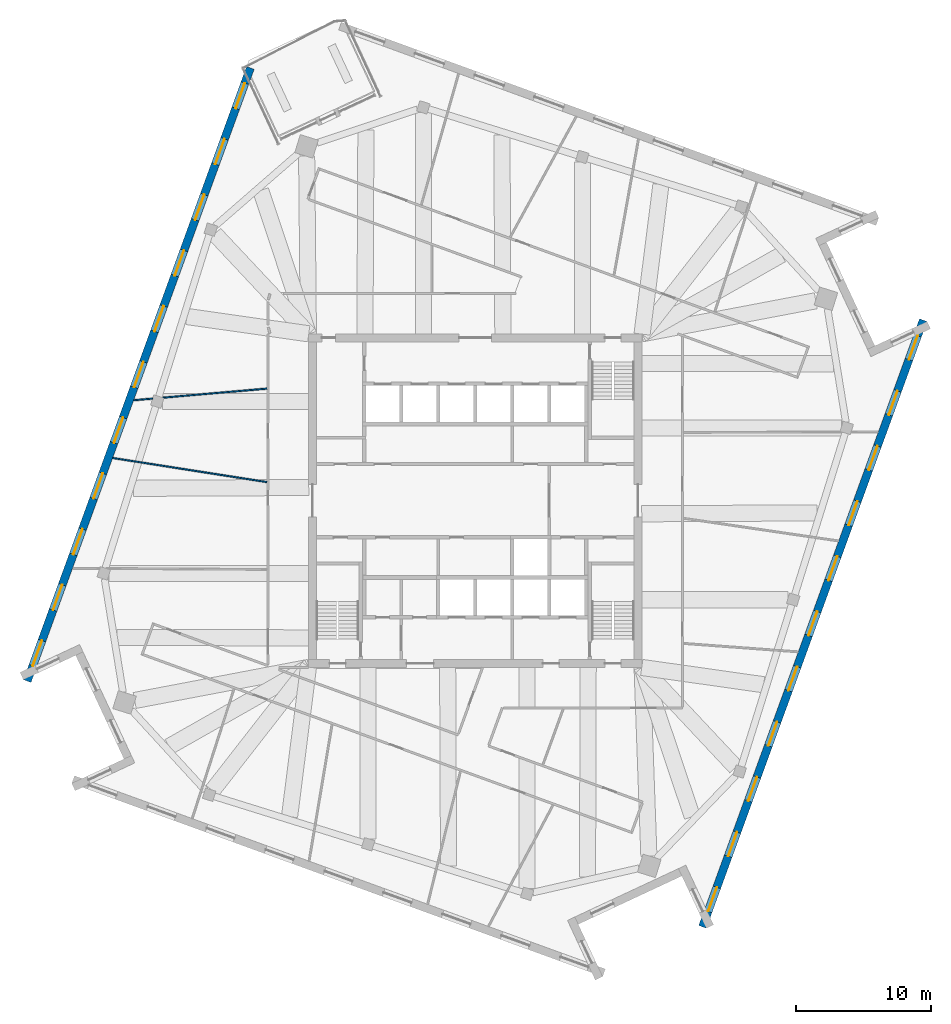
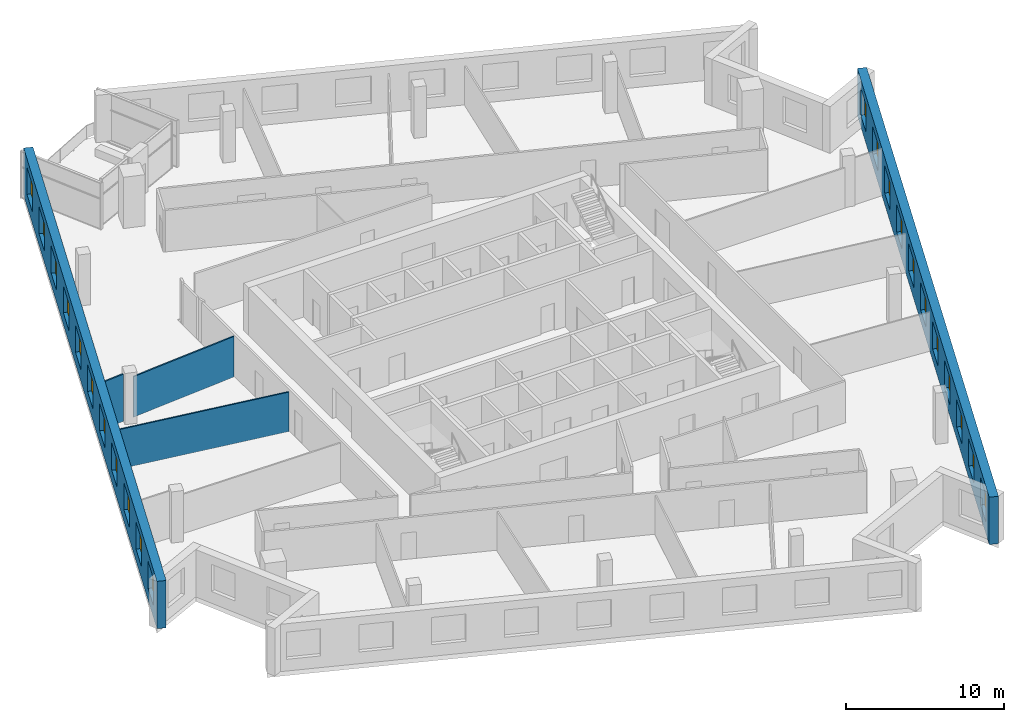
# One storey, part 8 of 13: 22 windows, 5 walls, 22 openings.
"""IFC4 building model written with IfcOpenShell, lengths in metres."""

from ifc_helpers import new_model, si_unit, direction, frame, frame_2d, origin, place, context, subcontext, project, spatial, rectangle, extrude, material, layer, layer_set, type_object, element, fill, save


model = new_model("IFC4")

# Units and contexts
model_context = context("Model", 3, precision=1e-05, world=origin(), true_north=direction((0.0, 1.0)))
body_context = subcontext(model_context, "Body", "Model", "MODEL_VIEW")
ifc_project = project(units=[si_unit("LENGTHUNIT", "METRE"), si_unit("AREAUNIT", "SQUARE_METRE"), si_unit("VOLUMEUNIT", "CUBIC_METRE"), si_unit("PLANEANGLEUNIT", "RADIAN"), si_unit("MASSUNIT", "GRAM", prefix="KILO")], contexts=[model_context])

# Site, building, storey
site_placement = place(None, origin())
site = spatial("IfcSite", under=ifc_project, at=site_placement, CompositionType="ELEMENT")
building_placement = place(site_placement, origin())
building = spatial("IfcBuilding", under=site, at=building_placement, Name="Dilmun Exchange Tower", CompositionType="ELEMENT")
storey_placement = place(building_placement, frame((0.0, 0.0, 304.5)))
storey = spatial("IfcBuildingStorey", under=building, at=storey_placement, Name="L72", CompositionType="ELEMENT", Elevation=304.5)

# Walls
ifc_material_1 = material(Name="Partition 100")
ifc_layer_1 = layer(ifc_material_1, 0.10009765625)
ifc_layer_set_1 = layer_set([ifc_layer_1], Name="Partition 100")
wall_type_1 = type_object("IfcWallType", Name="Partition 100", PredefinedType="PARTITIONING", material=ifc_layer_set_1)
wall_1_placement = place(storey_placement, frame((-26.939453125, 3.167236328125, 0.0), z_axis=(0.0, 0.0, 1.0), x_axis=(0.987997076622, -0.154472575515, 0.0)))
element("IfcWall", 1, at=wall_1_placement, inside=storey, type_object=wall_type_1, Name="Partition", PredefinedType="PARTITIONING", context=body_context, shape_type="SweptSolid", body=[
    extrude(rectangle(XDim=11.595947265625, YDim=0.10009765625, at=frame_2d((5.7978515625, 0.0))), origin(), (0.0, 0.0, 1.0), 3.050048828125),
])
wall_2_placement = place(storey_placement, frame((-25.376953125, 7.459716796875, 0.0), z_axis=(0.0, 0.0, 1.0), x_axis=(0.996220312329, 0.086862473502, 0.0)))
element("IfcWall", 2, at=wall_2_placement, inside=storey, type_object=wall_type_1, Name="Partition", PredefinedType="PARTITIONING", context=body_context, shape_type="SweptSolid", body=[
    extrude(rectangle(XDim=1.402587890625, YDim=0.10009765625, at=frame_2d((0.701171875, 0.0))), origin(), (0.0, 0.0, 1.0), 3.64990234375),
])
wall_3_placement = place(storey_placement, frame((-23.203369140625, 7.6494140625, 0.0), z_axis=(0.0, 0.0, 1.0), x_axis=(0.996219171953, 0.086875551407, 0.0)))
element("IfcWall", 3, at=wall_3_placement, inside=storey, type_object=wall_type_1, Name="Partition", PredefinedType="PARTITIONING", context=body_context, shape_type="SweptSolid", body=[
    extrude(rectangle(XDim=7.75341796875, YDim=0.10009765625, at=frame_2d((3.876708984375, 0.0))), origin(), (0.0, 0.0, 1.0), 3.1298828125),
])

# Wall, openings, windows
ifc_material_2 = material(Name="Precast concrete C50/60", Category="concrete")
ifc_layer_2 = layer(ifc_material_2, 0.60009765625)
ifc_layer_set_2 = layer_set([ifc_layer_2], Name="Precast concrete C50/60")
wall_type_2 = type_object("IfcWallType", Name="Precast stone-clad wall 600", PredefinedType="STANDARD", material=ifc_layer_set_2)
wall_4_placement = place(storey_placement, frame((-16.710205078125, 32.154296875, 0.0), z_axis=(0.0, 0.0, 1.0), x_axis=(-0.342021989849, -0.939691948704, 0.0)))
wall_4 = element("IfcWall", 4, at=wall_4_placement, inside=storey, type_object=wall_type_2, Name="Facade wall L72-03", PredefinedType="STANDARD", context=body_context, shape_type="SweptSolid", body=[
    extrude(rectangle(XDim=48.489501953125, YDim=0.60009765625, at=frame_2d((24.24462890625, 0.0))), origin(), (0.0, 0.0, 1.0), 3.64990234375),
])
opening_1_placement = place(wall_4_placement, frame((1.2041015625, 0.0, 0.89990234375)))
opening_1 = element("IfcOpeningElement", 5, at=opening_1_placement, cuts=wall_4, Name="Opening W200-210", PredefinedType="OPENING", context=body_context, shape_type="SweptSolid", body=[
    extrude(rectangle(XDim=2.0, YDim=2.10009765625, at=frame_2d((1.0, 1.050048828125))), frame((0.0, 0.31005859375, 0.0), z_axis=(0.0, -1.0, 0.0), x_axis=(1.0, 0.0, 0.0)), (0.0, 0.0, 1.0), 0.6201171875),
])
opening_2_placement = place(wall_4_placement, frame((5.6123046875, 0.0, 0.89990234375)))
opening_2 = element("IfcOpeningElement", 6, at=opening_2_placement, cuts=wall_4, Name="Opening W200-210", PredefinedType="OPENING", context=body_context, shape_type="SweptSolid", body=[
    extrude(rectangle(XDim=2.0, YDim=2.10009765625, at=frame_2d((1.0, 1.050048828125))), frame((0.0, 0.31005859375, 0.0), z_axis=(0.0, -1.0, 0.0), x_axis=(1.0, 0.0, 0.0)), (0.0, 0.0, 1.0), 0.6201171875),
])
opening_3_placement = place(wall_4_placement, frame((10.0205078125, 0.0, 0.89990234375)))
opening_3 = element("IfcOpeningElement", 7, at=opening_3_placement, cuts=wall_4, Name="Opening W200-210", PredefinedType="OPENING", context=body_context, shape_type="SweptSolid", body=[
    extrude(rectangle(XDim=2.0, YDim=2.10009765625, at=frame_2d((1.0, 1.050048828125))), frame((0.0, 0.31005859375, 0.0), z_axis=(0.0, -1.0, 0.0), x_axis=(1.0, 0.0, 0.0)), (0.0, 0.0, 1.0), 0.6201171875),
])
opening_4_placement = place(wall_4_placement, frame((14.428466796875, 0.0, 0.89990234375)))
opening_4 = element("IfcOpeningElement", 8, at=opening_4_placement, cuts=wall_4, Name="Opening W200-210", PredefinedType="OPENING", context=body_context, shape_type="SweptSolid", body=[
    extrude(rectangle(XDim=2.0, YDim=2.10009765625, at=frame_2d((1.0, 1.050048828125))), frame((0.0, 0.31005859375, 0.0), z_axis=(0.0, -1.0, 0.0), x_axis=(1.0, 0.0, 0.0)), (0.0, 0.0, 1.0), 0.6201171875),
])
opening_5_placement = place(wall_4_placement, frame((18.836669921875, 0.0, 0.89990234375)))
opening_5 = element("IfcOpeningElement", 9, at=opening_5_placement, cuts=wall_4, Name="Opening W200-210", PredefinedType="OPENING", context=body_context, shape_type="SweptSolid", body=[
    extrude(rectangle(XDim=2.0, YDim=2.10009765625, at=frame_2d((1.0, 1.050048828125))), frame((0.0, 0.31005859375, 0.0), z_axis=(0.0, -1.0, 0.0), x_axis=(1.0, 0.0, 0.0)), (0.0, 0.0, 1.0), 0.6201171875),
])
opening_6_placement = place(wall_4_placement, frame((23.244873046875, 0.0, 0.89990234375)))
opening_6 = element("IfcOpeningElement", 10, at=opening_6_placement, cuts=wall_4, Name="Opening W200-210", PredefinedType="OPENING", context=body_context, shape_type="SweptSolid", body=[
    extrude(rectangle(XDim=2.0, YDim=2.10009765625, at=frame_2d((1.0, 1.050048828125))), frame((0.0, 0.31005859375, 0.0), z_axis=(0.0, -1.0, 0.0), x_axis=(1.0, 0.0, 0.0)), (0.0, 0.0, 1.0), 0.6201171875),
])
opening_7_placement = place(wall_4_placement, frame((27.65283203125, 0.0, 0.89990234375)))
opening_7 = element("IfcOpeningElement", 11, at=opening_7_placement, cuts=wall_4, Name="Opening W200-210", PredefinedType="OPENING", context=body_context, shape_type="SweptSolid", body=[
    extrude(rectangle(XDim=2.0, YDim=2.10009765625, at=frame_2d((1.0, 1.050048828125))), frame((0.0, 0.31005859375, 0.0), z_axis=(0.0, -1.0, 0.0), x_axis=(1.0, 0.0, 0.0)), (0.0, 0.0, 1.0), 0.6201171875),
])
opening_8_placement = place(wall_4_placement, frame((32.06103515625, 0.0, 0.89990234375)))
opening_8 = element("IfcOpeningElement", 12, at=opening_8_placement, cuts=wall_4, Name="Opening W200-210", PredefinedType="OPENING", context=body_context, shape_type="SweptSolid", body=[
    extrude(rectangle(XDim=2.0, YDim=2.10009765625, at=frame_2d((1.0, 1.050048828125))), frame((0.0, 0.31005859375, 0.0), z_axis=(0.0, -1.0, 0.0), x_axis=(1.0, 0.0, 0.0)), (0.0, 0.0, 1.0), 0.6201171875),
])
opening_9_placement = place(wall_4_placement, frame((36.46923828125, 0.0, 0.89990234375)))
opening_9 = element("IfcOpeningElement", 13, at=opening_9_placement, cuts=wall_4, Name="Opening W200-210", PredefinedType="OPENING", context=body_context, shape_type="SweptSolid", body=[
    extrude(rectangle(XDim=2.0, YDim=2.10009765625, at=frame_2d((1.0, 1.050048828125))), frame((0.0, 0.31005859375, 0.0), z_axis=(0.0, -1.0, 0.0), x_axis=(1.0, 0.0, 0.0)), (0.0, 0.0, 1.0), 0.6201171875),
])
opening_10_placement = place(wall_4_placement, frame((40.87744140625, 0.0, 0.89990234375)))
opening_10 = element("IfcOpeningElement", 14, at=opening_10_placement, cuts=wall_4, Name="Opening W200-210", PredefinedType="OPENING", context=body_context, shape_type="SweptSolid", body=[
    extrude(rectangle(XDim=2.0, YDim=2.10009765625, at=frame_2d((1.0, 1.050048828125))), frame((0.0, 0.31005859375, 0.0), z_axis=(0.0, -1.0, 0.0), x_axis=(1.0, 0.0, 0.0)), (0.0, 0.0, 1.0), 0.6201171875),
])
opening_11_placement = place(wall_4_placement, frame((45.285400390625, 0.0, 0.89990234375)))
opening_11 = element("IfcOpeningElement", 15, at=opening_11_placement, cuts=wall_4, Name="Opening W200-210", PredefinedType="OPENING", context=body_context, shape_type="SweptSolid", body=[
    extrude(rectangle(XDim=2.0, YDim=2.10009765625, at=frame_2d((1.0, 1.050048828125))), frame((0.0, 0.31005859375, 0.0), z_axis=(0.0, -1.0, 0.0), x_axis=(1.0, 0.0, 0.0)), (0.0, 0.0, 1.0), 0.6201171875),
])
ifc_material_3 = material(Name="Clear low-emissivity glass in aluminium frame", Category="aluminium")
window_type_1 = type_object("IfcWindowType", Name="Punched window 2000 x 2100", PartitioningType="DOUBLE_PANEL_VERTICAL", PredefinedType="WINDOW", material=ifc_material_3)
window_1_placement = place(opening_1_placement, origin())
window_1 = element("IfcWindow", 16, at=window_1_placement, inside=storey, type_object=window_type_1, Name="Window 4.1", OverallHeight=2.10009765625, OverallWidth=2.0, PartitioningType="SINGLE_PANEL", PredefinedType="WINDOW", context=body_context, shape_type="SweptSolid", body=[
    extrude(rectangle(XDim=2.0, YDim=2.10009765625, at=frame_2d((1.0, 1.050048828125))), frame((0.0, 0.030029296875, 0.0), z_axis=(0.0, -1.0, 0.0), x_axis=(1.0, 0.0, 0.0)), (0.0, 0.0, 1.0), 0.06005859375),
])
fill(opening_1, window_1)
window_2_placement = place(opening_2_placement, origin())
window_2 = element("IfcWindow", 17, at=window_2_placement, inside=storey, type_object=window_type_1, Name="Window 4.2", OverallHeight=2.10009765625, OverallWidth=2.0, PartitioningType="SINGLE_PANEL", PredefinedType="WINDOW", context=body_context, shape_type="SweptSolid", body=[
    extrude(rectangle(XDim=2.0, YDim=2.10009765625, at=frame_2d((1.0, 1.050048828125))), frame((0.0, 0.030029296875, 0.0), z_axis=(0.0, -1.0, 0.0), x_axis=(1.0, 0.0, 0.0)), (0.0, 0.0, 1.0), 0.06005859375),
])
fill(opening_2, window_2)
window_3_placement = place(opening_3_placement, origin())
window_3 = element("IfcWindow", 18, at=window_3_placement, inside=storey, type_object=window_type_1, Name="Window 4.3", OverallHeight=2.10009765625, OverallWidth=2.0, PartitioningType="SINGLE_PANEL", PredefinedType="WINDOW", context=body_context, shape_type="SweptSolid", body=[
    extrude(rectangle(XDim=2.0, YDim=2.10009765625, at=frame_2d((1.0, 1.050048828125))), frame((0.0, 0.030029296875, 0.0), z_axis=(0.0, -1.0, 0.0), x_axis=(1.0, 0.0, 0.0)), (0.0, 0.0, 1.0), 0.06005859375),
])
fill(opening_3, window_3)
window_4_placement = place(opening_4_placement, origin())
window_4 = element("IfcWindow", 19, at=window_4_placement, inside=storey, type_object=window_type_1, Name="Window 4.4", OverallHeight=2.10009765625, OverallWidth=2.0, PartitioningType="SINGLE_PANEL", PredefinedType="WINDOW", context=body_context, shape_type="SweptSolid", body=[
    extrude(rectangle(XDim=2.0, YDim=2.10009765625, at=frame_2d((1.0, 1.050048828125))), frame((0.0, 0.030029296875, 0.0), z_axis=(0.0, -1.0, 0.0), x_axis=(1.0, 0.0, 0.0)), (0.0, 0.0, 1.0), 0.06005859375),
])
fill(opening_4, window_4)
window_5_placement = place(opening_5_placement, origin())
window_5 = element("IfcWindow", 20, at=window_5_placement, inside=storey, type_object=window_type_1, Name="Window 4.5", OverallHeight=2.10009765625, OverallWidth=2.0, PartitioningType="SINGLE_PANEL", PredefinedType="WINDOW", context=body_context, shape_type="SweptSolid", body=[
    extrude(rectangle(XDim=2.0, YDim=2.10009765625, at=frame_2d((1.0, 1.050048828125))), frame((0.0, 0.030029296875, 0.0), z_axis=(0.0, -1.0, 0.0), x_axis=(1.0, 0.0, 0.0)), (0.0, 0.0, 1.0), 0.06005859375),
])
fill(opening_5, window_5)
window_6_placement = place(opening_6_placement, origin())
window_6 = element("IfcWindow", 21, at=window_6_placement, inside=storey, type_object=window_type_1, Name="Window 4.6", OverallHeight=2.10009765625, OverallWidth=2.0, PartitioningType="SINGLE_PANEL", PredefinedType="WINDOW", context=body_context, shape_type="SweptSolid", body=[
    extrude(rectangle(XDim=2.0, YDim=2.10009765625, at=frame_2d((1.0, 1.050048828125))), frame((0.0, 0.030029296875, 0.0), z_axis=(0.0, -1.0, 0.0), x_axis=(1.0, 0.0, 0.0)), (0.0, 0.0, 1.0), 0.06005859375),
])
fill(opening_6, window_6)
window_7_placement = place(opening_7_placement, origin())
window_7 = element("IfcWindow", 22, at=window_7_placement, inside=storey, type_object=window_type_1, Name="Window 4.7", OverallHeight=2.10009765625, OverallWidth=2.0, PartitioningType="SINGLE_PANEL", PredefinedType="WINDOW", context=body_context, shape_type="SweptSolid", body=[
    extrude(rectangle(XDim=2.0, YDim=2.10009765625, at=frame_2d((1.0, 1.050048828125))), frame((0.0, 0.030029296875, 0.0), z_axis=(0.0, -1.0, 0.0), x_axis=(1.0, 0.0, 0.0)), (0.0, 0.0, 1.0), 0.06005859375),
])
fill(opening_7, window_7)
window_8_placement = place(opening_8_placement, origin())
window_8 = element("IfcWindow", 23, at=window_8_placement, inside=storey, type_object=window_type_1, Name="Window 4.8", OverallHeight=2.10009765625, OverallWidth=2.0, PartitioningType="SINGLE_PANEL", PredefinedType="WINDOW", context=body_context, shape_type="SweptSolid", body=[
    extrude(rectangle(XDim=2.0, YDim=2.10009765625, at=frame_2d((1.0, 1.050048828125))), frame((0.0, 0.030029296875, 0.0), z_axis=(0.0, -1.0, 0.0), x_axis=(1.0, 0.0, 0.0)), (0.0, 0.0, 1.0), 0.06005859375),
])
fill(opening_8, window_8)
window_9_placement = place(opening_9_placement, origin())
window_9 = element("IfcWindow", 24, at=window_9_placement, inside=storey, type_object=window_type_1, Name="Window 4.9", OverallHeight=2.10009765625, OverallWidth=2.0, PartitioningType="SINGLE_PANEL", PredefinedType="WINDOW", context=body_context, shape_type="SweptSolid", body=[
    extrude(rectangle(XDim=2.0, YDim=2.10009765625, at=frame_2d((1.0, 1.050048828125))), frame((0.0, 0.030029296875, 0.0), z_axis=(0.0, -1.0, 0.0), x_axis=(1.0, 0.0, 0.0)), (0.0, 0.0, 1.0), 0.06005859375),
])
fill(opening_9, window_9)
window_10_placement = place(opening_10_placement, origin())
window_10 = element("IfcWindow", 25, at=window_10_placement, inside=storey, type_object=window_type_1, Name="Window 4.10", OverallHeight=2.10009765625, OverallWidth=2.0, PartitioningType="SINGLE_PANEL", PredefinedType="WINDOW", context=body_context, shape_type="SweptSolid", body=[
    extrude(rectangle(XDim=2.0, YDim=2.10009765625, at=frame_2d((1.0, 1.050048828125))), frame((0.0, 0.030029296875, 0.0), z_axis=(0.0, -1.0, 0.0), x_axis=(1.0, 0.0, 0.0)), (0.0, 0.0, 1.0), 0.06005859375),
])
fill(opening_10, window_10)
window_11_placement = place(opening_11_placement, origin())
window_11 = element("IfcWindow", 26, at=window_11_placement, inside=storey, type_object=window_type_1, Name="Window 4.11", OverallHeight=2.10009765625, OverallWidth=2.0, PartitioningType="SINGLE_PANEL", PredefinedType="WINDOW", context=body_context, shape_type="SweptSolid", body=[
    extrude(rectangle(XDim=2.0, YDim=2.10009765625, at=frame_2d((1.0, 1.050048828125))), frame((0.0, 0.030029296875, 0.0), z_axis=(0.0, -1.0, 0.0), x_axis=(1.0, 0.0, 0.0)), (0.0, 0.0, 1.0), 0.06005859375),
])
fill(opening_11, window_11)

wall_5_placement = place(storey_placement, frame((16.885009765625, -31.6748046875, 0.0), z_axis=(0.0, 0.0, 1.0), x_axis=(0.342016786282, 0.939693842643, 0.0)))
wall_5 = element("IfcWall", 27, at=wall_5_placement, inside=storey, type_object=wall_type_2, Name="Facade wall L72-11", PredefinedType="STANDARD", context=body_context, shape_type="SweptSolid", body=[
    extrude(rectangle(XDim=47.979248046875, YDim=0.60009765625, at=frame_2d((23.98974609375, 0.0))), origin(), (0.0, 0.0, 1.0), 3.64990234375),
])
opening_12_placement = place(wall_5_placement, frame((1.23095703125, 0.0, 0.89990234375)))
opening_12 = element("IfcOpeningElement", 28, at=opening_12_placement, cuts=wall_5, Name="Opening W190-210", PredefinedType="OPENING", context=body_context, shape_type="SweptSolid", body=[
    extrude(rectangle(XDim=1.89990234375, YDim=2.10009765625, at=frame_2d((0.949951171875, 1.050048828125))), frame((0.0, 0.31005859375, 0.0), z_axis=(0.0, -1.0, 0.0), x_axis=(1.0, 0.0, 0.0)), (0.0, 0.0, 1.0), 0.6201171875),
])
opening_13_placement = place(wall_5_placement, frame((5.592529296875, 0.0, 0.89990234375)))
opening_13 = element("IfcOpeningElement", 29, at=opening_13_placement, cuts=wall_5, Name="Opening W190-210", PredefinedType="OPENING", context=body_context, shape_type="SweptSolid", body=[
    extrude(rectangle(XDim=1.89990234375, YDim=2.10009765625, at=frame_2d((0.949951171875, 1.050048828125))), frame((0.0, 0.31005859375, 0.0), z_axis=(0.0, -1.0, 0.0), x_axis=(1.0, 0.0, 0.0)), (0.0, 0.0, 1.0), 0.6201171875),
])
opening_14_placement = place(wall_5_placement, frame((9.954345703125, 0.0, 0.89990234375)))
opening_14 = element("IfcOpeningElement", 30, at=opening_14_placement, cuts=wall_5, Name="Opening W190-210", PredefinedType="OPENING", context=body_context, shape_type="SweptSolid", body=[
    extrude(rectangle(XDim=1.89990234375, YDim=2.10009765625, at=frame_2d((0.949951171875, 1.050048828125))), frame((0.0, 0.31005859375, 0.0), z_axis=(0.0, -1.0, 0.0), x_axis=(1.0, 0.0, 0.0)), (0.0, 0.0, 1.0), 0.6201171875),
])
opening_15_placement = place(wall_5_placement, frame((14.316162109375, 0.0, 0.89990234375)))
opening_15 = element("IfcOpeningElement", 31, at=opening_15_placement, cuts=wall_5, Name="Opening W190-210", PredefinedType="OPENING", context=body_context, shape_type="SweptSolid", body=[
    extrude(rectangle(XDim=1.89990234375, YDim=2.10009765625, at=frame_2d((0.949951171875, 1.050048828125))), frame((0.0, 0.31005859375, 0.0), z_axis=(0.0, -1.0, 0.0), x_axis=(1.0, 0.0, 0.0)), (0.0, 0.0, 1.0), 0.6201171875),
])
opening_16_placement = place(wall_5_placement, frame((18.677734375, 0.0, 0.89990234375)))
opening_16 = element("IfcOpeningElement", 32, at=opening_16_placement, cuts=wall_5, Name="Opening W190-210", PredefinedType="OPENING", context=body_context, shape_type="SweptSolid", body=[
    extrude(rectangle(XDim=1.89990234375, YDim=2.10009765625, at=frame_2d((0.949951171875, 1.050048828125))), frame((0.0, 0.31005859375, 0.0), z_axis=(0.0, -1.0, 0.0), x_axis=(1.0, 0.0, 0.0)), (0.0, 0.0, 1.0), 0.6201171875),
])
opening_17_placement = place(wall_5_placement, frame((23.03955078125, 0.0, 0.89990234375)))
opening_17 = element("IfcOpeningElement", 33, at=opening_17_placement, cuts=wall_5, Name="Opening W190-210", PredefinedType="OPENING", context=body_context, shape_type="SweptSolid", body=[
    extrude(rectangle(XDim=1.89990234375, YDim=2.10009765625, at=frame_2d((0.949951171875, 1.050048828125))), frame((0.0, 0.31005859375, 0.0), z_axis=(0.0, -1.0, 0.0), x_axis=(1.0, 0.0, 0.0)), (0.0, 0.0, 1.0), 0.6201171875),
])
opening_18_placement = place(wall_5_placement, frame((27.4013671875, 0.0, 0.89990234375)))
opening_18 = element("IfcOpeningElement", 34, at=opening_18_placement, cuts=wall_5, Name="Opening W190-210", PredefinedType="OPENING", context=body_context, shape_type="SweptSolid", body=[
    extrude(rectangle(XDim=1.89990234375, YDim=2.10009765625, at=frame_2d((0.949951171875, 1.050048828125))), frame((0.0, 0.31005859375, 0.0), z_axis=(0.0, -1.0, 0.0), x_axis=(1.0, 0.0, 0.0)), (0.0, 0.0, 1.0), 0.6201171875),
])
opening_19_placement = place(wall_5_placement, frame((31.76318359375, 0.0, 0.89990234375)))
opening_19 = element("IfcOpeningElement", 35, at=opening_19_placement, cuts=wall_5, Name="Opening W190-210", PredefinedType="OPENING", context=body_context, shape_type="SweptSolid", body=[
    extrude(rectangle(XDim=1.89990234375, YDim=2.10009765625, at=frame_2d((0.949951171875, 1.050048828125))), frame((0.0, 0.31005859375, 0.0), z_axis=(0.0, -1.0, 0.0), x_axis=(1.0, 0.0, 0.0)), (0.0, 0.0, 1.0), 0.6201171875),
])
opening_20_placement = place(wall_5_placement, frame((36.124755859375, 0.0, 0.89990234375)))
opening_20 = element("IfcOpeningElement", 36, at=opening_20_placement, cuts=wall_5, Name="Opening W190-210", PredefinedType="OPENING", context=body_context, shape_type="SweptSolid", body=[
    extrude(rectangle(XDim=1.89990234375, YDim=2.10009765625, at=frame_2d((0.949951171875, 1.050048828125))), frame((0.0, 0.31005859375, 0.0), z_axis=(0.0, -1.0, 0.0), x_axis=(1.0, 0.0, 0.0)), (0.0, 0.0, 1.0), 0.6201171875),
])
opening_21_placement = place(wall_5_placement, frame((40.486572265625, 0.0, 0.89990234375)))
opening_21 = element("IfcOpeningElement", 37, at=opening_21_placement, cuts=wall_5, Name="Opening W190-210", PredefinedType="OPENING", context=body_context, shape_type="SweptSolid", body=[
    extrude(rectangle(XDim=1.89990234375, YDim=2.10009765625, at=frame_2d((0.949951171875, 1.050048828125))), frame((0.0, 0.31005859375, 0.0), z_axis=(0.0, -1.0, 0.0), x_axis=(1.0, 0.0, 0.0)), (0.0, 0.0, 1.0), 0.6201171875),
])
opening_22_placement = place(wall_5_placement, frame((44.848388671875, 0.0, 0.89990234375)))
opening_22 = element("IfcOpeningElement", 38, at=opening_22_placement, cuts=wall_5, Name="Opening W190-210", PredefinedType="OPENING", context=body_context, shape_type="SweptSolid", body=[
    extrude(rectangle(XDim=1.89990234375, YDim=2.10009765625, at=frame_2d((0.949951171875, 1.050048828125))), frame((0.0, 0.31005859375, 0.0), z_axis=(0.0, -1.0, 0.0), x_axis=(1.0, 0.0, 0.0)), (0.0, 0.0, 1.0), 0.6201171875),
])
window_type_2 = type_object("IfcWindowType", Name="Punched window 1900 x 2100", PartitioningType="DOUBLE_PANEL_VERTICAL", PredefinedType="WINDOW", material=ifc_material_3)
window_12_placement = place(opening_12_placement, origin())
window_12 = element("IfcWindow", 39, at=window_12_placement, inside=storey, type_object=window_type_2, Name="Window 12.1", OverallHeight=2.10009765625, OverallWidth=1.89990234375, PartitioningType="SINGLE_PANEL", PredefinedType="WINDOW", context=body_context, shape_type="SweptSolid", body=[
    extrude(rectangle(XDim=1.89990234375, YDim=2.10009765625, at=frame_2d((0.949951171875, 1.050048828125))), frame((0.0, 0.030029296875, 0.0), z_axis=(0.0, -1.0, 0.0), x_axis=(1.0, 0.0, 0.0)), (0.0, 0.0, 1.0), 0.06005859375),
])
fill(opening_12, window_12)
window_13_placement = place(opening_13_placement, origin())
window_13 = element("IfcWindow", 40, at=window_13_placement, inside=storey, type_object=window_type_2, Name="Window 12.2", OverallHeight=2.10009765625, OverallWidth=1.89990234375, PartitioningType="SINGLE_PANEL", PredefinedType="WINDOW", context=body_context, shape_type="SweptSolid", body=[
    extrude(rectangle(XDim=1.89990234375, YDim=2.10009765625, at=frame_2d((0.949951171875, 1.050048828125))), frame((0.0, 0.030029296875, 0.0), z_axis=(0.0, -1.0, 0.0), x_axis=(1.0, 0.0, 0.0)), (0.0, 0.0, 1.0), 0.06005859375),
])
fill(opening_13, window_13)
window_14_placement = place(opening_14_placement, origin())
window_14 = element("IfcWindow", 41, at=window_14_placement, inside=storey, type_object=window_type_2, Name="Window 12.3", OverallHeight=2.10009765625, OverallWidth=1.89990234375, PartitioningType="SINGLE_PANEL", PredefinedType="WINDOW", context=body_context, shape_type="SweptSolid", body=[
    extrude(rectangle(XDim=1.89990234375, YDim=2.10009765625, at=frame_2d((0.949951171875, 1.050048828125))), frame((0.0, 0.030029296875, 0.0), z_axis=(0.0, -1.0, 0.0), x_axis=(1.0, 0.0, 0.0)), (0.0, 0.0, 1.0), 0.06005859375),
])
fill(opening_14, window_14)
window_15_placement = place(opening_15_placement, origin())
window_15 = element("IfcWindow", 42, at=window_15_placement, inside=storey, type_object=window_type_2, Name="Window 12.4", OverallHeight=2.10009765625, OverallWidth=1.89990234375, PartitioningType="SINGLE_PANEL", PredefinedType="WINDOW", context=body_context, shape_type="SweptSolid", body=[
    extrude(rectangle(XDim=1.89990234375, YDim=2.10009765625, at=frame_2d((0.949951171875, 1.050048828125))), frame((0.0, 0.030029296875, 0.0), z_axis=(0.0, -1.0, 0.0), x_axis=(1.0, 0.0, 0.0)), (0.0, 0.0, 1.0), 0.06005859375),
])
fill(opening_15, window_15)
window_16_placement = place(opening_16_placement, origin())
window_16 = element("IfcWindow", 43, at=window_16_placement, inside=storey, type_object=window_type_2, Name="Window 12.5", OverallHeight=2.10009765625, OverallWidth=1.89990234375, PartitioningType="SINGLE_PANEL", PredefinedType="WINDOW", context=body_context, shape_type="SweptSolid", body=[
    extrude(rectangle(XDim=1.89990234375, YDim=2.10009765625, at=frame_2d((0.949951171875, 1.050048828125))), frame((0.0, 0.030029296875, 0.0), z_axis=(0.0, -1.0, 0.0), x_axis=(1.0, 0.0, 0.0)), (0.0, 0.0, 1.0), 0.06005859375),
])
fill(opening_16, window_16)
window_17_placement = place(opening_17_placement, origin())
window_17 = element("IfcWindow", 44, at=window_17_placement, inside=storey, type_object=window_type_2, Name="Window 12.6", OverallHeight=2.10009765625, OverallWidth=1.89990234375, PartitioningType="SINGLE_PANEL", PredefinedType="WINDOW", context=body_context, shape_type="SweptSolid", body=[
    extrude(rectangle(XDim=1.89990234375, YDim=2.10009765625, at=frame_2d((0.949951171875, 1.050048828125))), frame((0.0, 0.030029296875, 0.0), z_axis=(0.0, -1.0, 0.0), x_axis=(1.0, 0.0, 0.0)), (0.0, 0.0, 1.0), 0.06005859375),
])
fill(opening_17, window_17)
window_18_placement = place(opening_18_placement, origin())
window_18 = element("IfcWindow", 45, at=window_18_placement, inside=storey, type_object=window_type_2, Name="Window 12.7", OverallHeight=2.10009765625, OverallWidth=1.89990234375, PartitioningType="SINGLE_PANEL", PredefinedType="WINDOW", context=body_context, shape_type="SweptSolid", body=[
    extrude(rectangle(XDim=1.89990234375, YDim=2.10009765625, at=frame_2d((0.949951171875, 1.050048828125))), frame((0.0, 0.030029296875, 0.0), z_axis=(0.0, -1.0, 0.0), x_axis=(1.0, 0.0, 0.0)), (0.0, 0.0, 1.0), 0.06005859375),
])
fill(opening_18, window_18)
window_19_placement = place(opening_19_placement, origin())
window_19 = element("IfcWindow", 46, at=window_19_placement, inside=storey, type_object=window_type_2, Name="Window 12.8", OverallHeight=2.10009765625, OverallWidth=1.89990234375, PartitioningType="SINGLE_PANEL", PredefinedType="WINDOW", context=body_context, shape_type="SweptSolid", body=[
    extrude(rectangle(XDim=1.89990234375, YDim=2.10009765625, at=frame_2d((0.949951171875, 1.050048828125))), frame((0.0, 0.030029296875, 0.0), z_axis=(0.0, -1.0, 0.0), x_axis=(1.0, 0.0, 0.0)), (0.0, 0.0, 1.0), 0.06005859375),
])
fill(opening_19, window_19)
window_20_placement = place(opening_20_placement, origin())
window_20 = element("IfcWindow", 47, at=window_20_placement, inside=storey, type_object=window_type_2, Name="Window 12.9", OverallHeight=2.10009765625, OverallWidth=1.89990234375, PartitioningType="SINGLE_PANEL", PredefinedType="WINDOW", context=body_context, shape_type="SweptSolid", body=[
    extrude(rectangle(XDim=1.89990234375, YDim=2.10009765625, at=frame_2d((0.949951171875, 1.050048828125))), frame((0.0, 0.030029296875, 0.0), z_axis=(0.0, -1.0, 0.0), x_axis=(1.0, 0.0, 0.0)), (0.0, 0.0, 1.0), 0.06005859375),
])
fill(opening_20, window_20)
window_21_placement = place(opening_21_placement, origin())
window_21 = element("IfcWindow", 48, at=window_21_placement, inside=storey, type_object=window_type_2, Name="Window 12.10", OverallHeight=2.10009765625, OverallWidth=1.89990234375, PartitioningType="SINGLE_PANEL", PredefinedType="WINDOW", context=body_context, shape_type="SweptSolid", body=[
    extrude(rectangle(XDim=1.89990234375, YDim=2.10009765625, at=frame_2d((0.949951171875, 1.050048828125))), frame((0.0, 0.030029296875, 0.0), z_axis=(0.0, -1.0, 0.0), x_axis=(1.0, 0.0, 0.0)), (0.0, 0.0, 1.0), 0.06005859375),
])
fill(opening_21, window_21)
window_22_placement = place(opening_22_placement, origin())
window_22 = element("IfcWindow", 49, at=window_22_placement, inside=storey, type_object=window_type_2, Name="Window 12.11", OverallHeight=2.10009765625, OverallWidth=1.89990234375, PartitioningType="SINGLE_PANEL", PredefinedType="WINDOW", context=body_context, shape_type="SweptSolid", body=[
    extrude(rectangle(XDim=1.89990234375, YDim=2.10009765625, at=frame_2d((0.949951171875, 1.050048828125))), frame((0.0, 0.030029296875, 0.0), z_axis=(0.0, -1.0, 0.0), x_axis=(1.0, 0.0, 0.0)), (0.0, 0.0, 1.0), 0.06005859375),
])
fill(opening_22, window_22)

save(model, "model.ifc")
